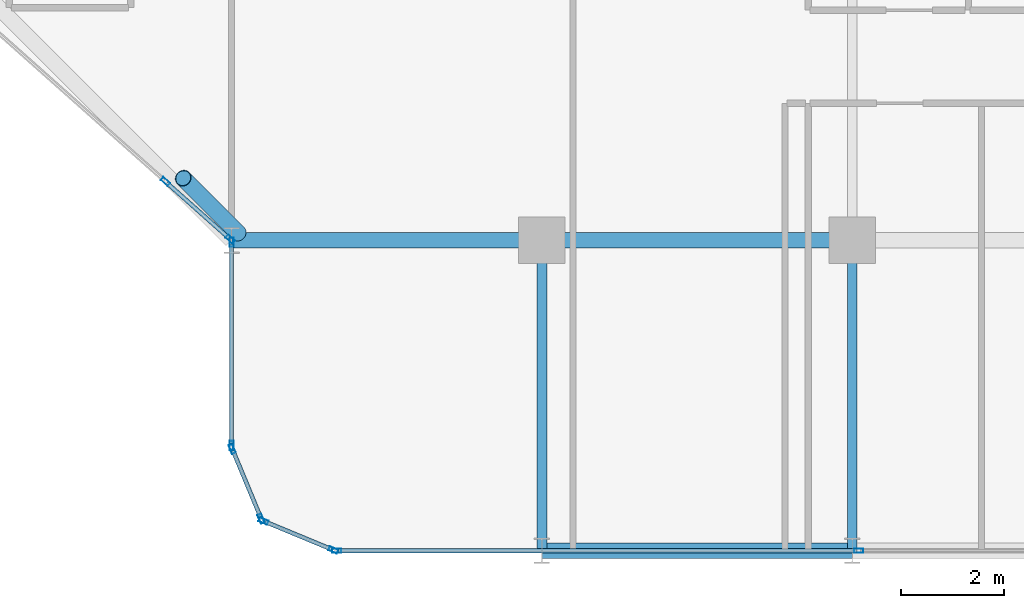
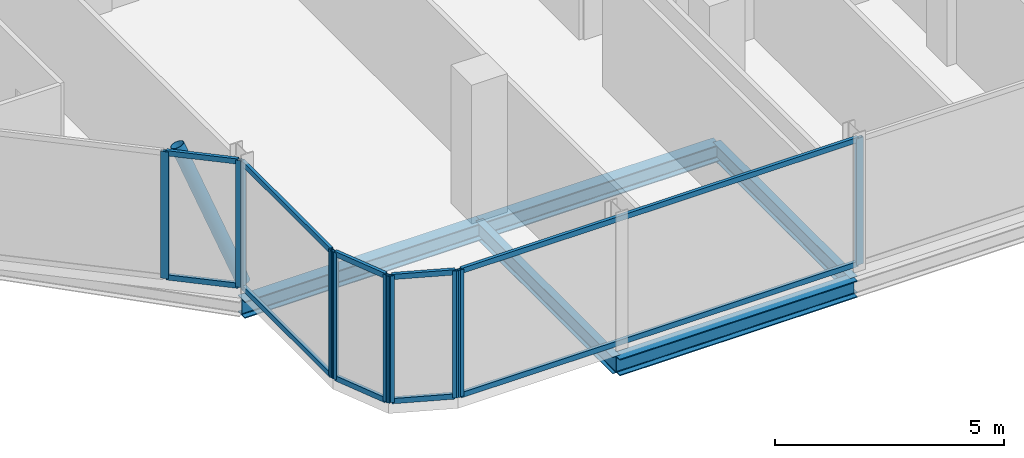
# One storey, part 5 of 31: 21 members, 5 beams, 5 elements without a shape of their own.
"""IFC4 building model written with IfcOpenShell, lengths in metres."""

from ifc_helpers import new_model, si_unit, direction, frame, origin, origin_2d, place, context, subcontext, project, spatial, hollow_rectangle, hollow_circle, i_section, extrude, material, layer, layer_set, material_profile, profile_set, type_object, element, aggregate, save


model = new_model("IFC4")

# Units and contexts
model_context = context("Model", 3, precision=1e-05, world=origin(), true_north=direction((0.0, 1.0)))
body_context = subcontext(model_context, "Body", "Model", "MODEL_VIEW")
ifc_project = project(units=[si_unit("LENGTHUNIT", "METRE"), si_unit("AREAUNIT", "SQUARE_METRE"), si_unit("VOLUMEUNIT", "CUBIC_METRE"), si_unit("PLANEANGLEUNIT", "RADIAN"), si_unit("MASSUNIT", "GRAM", prefix="KILO")], contexts=[model_context])

# Site, building, storey
site_placement = place(None, origin())
site = spatial("IfcSite", under=ifc_project, at=site_placement, CompositionType="ELEMENT")
building_placement = place(site_placement, origin())
building = spatial("IfcBuilding", under=site, at=building_placement, Name="Keshet Zoharim Tower", CompositionType="ELEMENT")
storey_placement = place(building_placement, frame((0.0, 0.0, 129.800048828125)))
storey = spatial("IfcBuildingStorey", under=building, at=storey_placement, Name="L31", CompositionType="ELEMENT", Elevation=129.800048828125)

# Beams
ifc_material_1 = material(Name="Steel S355", Category="steel")
ifc_material_profile_1 = material_profile(ifc_material_1, i_section(OverallWidth=0.18994140625, OverallDepth=0.449951171875, WebThickness=0.009521484375, FlangeThickness=0.0146484375, FilletRadius=0.02099609375, at=origin_2d()), Name="IPE450")
ifc_profile_set_1 = profile_set([ifc_material_profile_1], Name="Steel S355")
beam_type_1 = type_object("IfcBeamType", Name="BM-PRI-IP450", PredefinedType="BEAM", material=ifc_profile_set_1)
for number, where, z_axis, x_axis, name in (
    (1, (27.0, 0.699951171875, -0.5400390625), (0.0, 1.0, 0.0), (-1.0, 0.0, 0.0), "L31 Primary Girder Y-004"),
    (2, (33.0, 0.699951171875, -0.5400390625), (0.0, 1.0, 0.0), (-1.0, 0.0, 0.0), "L31 Primary Girder Y-005"),
):
    element("IfcBeam", number, at=place(storey_placement, frame(where, z_axis=z_axis, x_axis=x_axis)), inside=storey, type_object=beam_type_1, Name=name, PredefinedType="BEAM", context=body_context, shape_type="SweptSolid", body=[
        extrude(i_section(OverallWidth=0.18994140625, OverallDepth=0.449951171875, WebThickness=0.009521484375, FlangeThickness=0.0146484375, FilletRadius=0.02099609375, at=origin_2d()), origin(), (0.0, 0.0, 1.0), 6.0),
    ])
ifc_material_profile_2 = material_profile(ifc_material_1, i_section(OverallWidth=0.300048828125, OverallDepth=0.449951171875, WebThickness=0.013916015625, FlangeThickness=0.02587890625, FilletRadius=0.027099609375, at=origin_2d()), Name="HEB450")
ifc_profile_set_2 = profile_set([ifc_material_profile_2], Name="Steel S355")
beam_type_2 = type_object("IfcBeamType", Name="BM-WEB-HB450", PredefinedType="BEAM", material=ifc_profile_set_2)
for number, where, z_axis, x_axis, name in (
    (3, (27.0, 0.699951171875, -0.5400390625), (1.0, 0.0, 0.0), (0.0, 1.0, 0.0), "L31 Primary Girder X-001"),
    (4, (21.0, 6.699951171875, -0.5400390625), (1.0, 0.0, 0.0), (0.0, 1.0, 0.0), "L31 Primary Girder X-005"),
    (5, (27.0, 6.699951171875, -0.5400390625), (1.0, 0.0, 0.0), (0.0, 1.0, 0.0), "L31 Primary Girder X-006"),
):
    element("IfcBeam", number, at=place(storey_placement, frame(where, z_axis=z_axis, x_axis=x_axis)), inside=storey, type_object=beam_type_2, Name=name, PredefinedType="BEAM", context=body_context, shape_type="SweptSolid", body=[
        extrude(i_section(OverallWidth=0.300048828125, OverallDepth=0.449951171875, WebThickness=0.013916015625, FlangeThickness=0.02587890625, FilletRadius=0.027099609375, at=origin_2d()), origin(), (0.0, 0.0, 1.0), 6.0),
    ])

# Curtain wall, members
ifc_material_2 = material(Name="Aluminium 6063-T6", Category="aluminium")
ifc_layer = layer(ifc_material_2, 0.159912109375)
ifc_layer_set = layer_set([ifc_layer], Name="Aluminium 6063-T6")
curtain_wall_type = type_object("IfcCurtainWallType", Name="CW-SYS-03", PredefinedType="NOTDEFINED", material=ifc_layer_set)
curtain_wall_1_placement = place(storey_placement, origin())
curtain_wall_1 = element("IfcCurtainWall", 6, at=curtain_wall_1_placement, inside=storey, type_object=curtain_wall_type, Name="L31 Unitised Curtain Wall 03 Part 3", PredefinedType="NOTDEFINED")
ifc_material_profile_3 = material_profile(ifc_material_2, hollow_rectangle(XDim=0.080078125, YDim=0.179931640625, WallThickness=0.00439453125, at=origin_2d()), Name="MUL-80x180")
ifc_profile_set_3 = profile_set([ifc_material_profile_3], Name="Aluminium 6063-T6")
member_type_1 = type_object("IfcMemberType", Name="CWM-M18", PredefinedType="MULLION", material=ifc_profile_set_3)
member_1_placement = place(storey_placement, frame((33.1259765625, 0.699951171875, 0.0), z_axis=(0.0, 0.0, 1.0), x_axis=(0.0, -1.0, 0.0)))
member_1 = element("IfcMember", 7, at=member_1_placement, type_object=member_type_1, Name="CW-03 mullion 2", PredefinedType="MULLION", context=body_context, shape_type="SweptSolid", body=[
    extrude(hollow_rectangle(XDim=0.080078125, YDim=0.179931640625, WallThickness=0.00439453125, at=origin_2d()), origin(), (0.0, 0.0, 1.0), 3.385009765625),
])
member_2_placement = place(storey_placement, frame((23.034912109375, 0.699951171875, 0.0), z_axis=(0.0, 0.0, 1.0), x_axis=(0.0, -1.0, 0.0)))
member_2 = element("IfcMember", 8, at=member_2_placement, type_object=member_type_1, Name="CW-03 mullion 3", PredefinedType="MULLION", context=body_context, shape_type="SweptSolid", body=[
    extrude(hollow_rectangle(XDim=0.080078125, YDim=0.179931640625, WallThickness=0.00439453125, at=origin_2d()), origin(), (0.0, 0.0, 1.0), 3.385009765625),
])

curtain_wall_2_placement = place(storey_placement, origin())
curtain_wall_2 = element("IfcCurtainWall", 9, at=curtain_wall_2_placement, inside=storey, type_object=curtain_wall_type, Name="L31 Unitised Curtain Wall 04", PredefinedType="NOTDEFINED")
member_3_placement = place(storey_placement, frame((22.9677734375, 0.71337890625, 0.0), z_axis=(0.0, 0.0, 1.0), x_axis=(-0.382851849847, -0.92380975372, 0.0)))
member_3 = element("IfcMember", 10, at=member_3_placement, type_object=member_type_1, Name="CW-03 mullion 1", PredefinedType="MULLION", context=body_context, shape_type="SweptSolid", body=[
    extrude(hollow_rectangle(XDim=0.080078125, YDim=0.179931640625, WallThickness=0.00439453125, at=origin_2d()), origin(), (0.0, 0.0, 1.0), 3.385009765625),
])
member_4_placement = place(storey_placement, frame((21.618408203125, 1.272705078125, 0.0), z_axis=(0.0, 0.0, 1.0), x_axis=(-0.382851849847, -0.92380975372, 0.0)))
member_4 = element("IfcMember", 11, at=member_4_placement, type_object=member_type_1, Name="CW-03 mullion 2", PredefinedType="MULLION", context=body_context, shape_type="SweptSolid", body=[
    extrude(hollow_rectangle(XDim=0.080078125, YDim=0.179931640625, WallThickness=0.00439453125, at=origin_2d()), origin(), (0.0, 0.0, 1.0), 3.385009765625),
])

curtain_wall_3_placement = place(storey_placement, origin())
curtain_wall_3 = element("IfcCurtainWall", 12, at=curtain_wall_3_placement, inside=storey, type_object=curtain_wall_type, Name="L31 Unitised Curtain Wall 05", PredefinedType="NOTDEFINED")
member_5_placement = place(storey_placement, frame((21.572509765625, 1.318359375, 0.0), z_axis=(0.0, 0.0, 1.0), x_axis=(-0.92380975372, -0.382851849847, 0.0)))
member_5 = element("IfcMember", 13, at=member_5_placement, type_object=member_type_1, Name="CW-03 mullion 1", PredefinedType="MULLION", context=body_context, shape_type="SweptSolid", body=[
    extrude(hollow_rectangle(XDim=0.080078125, YDim=0.179931640625, WallThickness=0.00439453125, at=origin_2d()), origin(), (0.0, 0.0, 1.0), 3.385009765625),
])
member_6_placement = place(storey_placement, frame((21.013427734375, 2.667724609375, 0.0), z_axis=(0.0, 0.0, 1.0), x_axis=(-0.92380975372, -0.382851849847, 0.0)))
member_6 = element("IfcMember", 14, at=member_6_placement, type_object=member_type_1, Name="CW-03 mullion 2", PredefinedType="MULLION", context=body_context, shape_type="SweptSolid", body=[
    extrude(hollow_rectangle(XDim=0.080078125, YDim=0.179931640625, WallThickness=0.00439453125, at=origin_2d()), origin(), (0.0, 0.0, 1.0), 3.385009765625),
])

curtain_wall_4_placement = place(storey_placement, origin())
curtain_wall_4 = element("IfcCurtainWall", 15, at=curtain_wall_4_placement, inside=storey, type_object=curtain_wall_type, Name="L31 Unitised Curtain Wall 06", PredefinedType="NOTDEFINED")
member_7_placement = place(storey_placement, frame((21.0, 2.735107421875, 0.0), z_axis=(0.0, 0.0, 1.0), x_axis=(-1.0, 0.0, 0.0)))
member_7 = element("IfcMember", 16, at=member_7_placement, type_object=member_type_1, Name="CW-03 mullion 1", PredefinedType="MULLION", context=body_context, shape_type="SweptSolid", body=[
    extrude(hollow_rectangle(XDim=0.080078125, YDim=0.179931640625, WallThickness=0.00439453125, at=origin_2d()), origin(), (0.0, 0.0, 1.0), 3.385009765625),
])
member_8_placement = place(storey_placement, frame((21.0, 6.6650390625, 0.0), z_axis=(0.0, 0.0, 1.0), x_axis=(-1.0, 0.0, 0.0)))
member_8 = element("IfcMember", 17, at=member_8_placement, type_object=member_type_1, Name="CW-03 mullion 2", PredefinedType="MULLION", context=body_context, shape_type="SweptSolid", body=[
    extrude(hollow_rectangle(XDim=0.080078125, YDim=0.179931640625, WallThickness=0.00439453125, at=origin_2d()), origin(), (0.0, 0.0, 1.0), 3.385009765625),
])

curtain_wall_5_placement = place(storey_placement, origin())
curtain_wall_5 = element("IfcCurtainWall", 18, at=curtain_wall_5_placement, inside=storey, type_object=curtain_wall_type, Name="L31 Unitised Curtain Wall 07", PredefinedType="NOTDEFINED")
member_9_placement = place(storey_placement, frame((20.973876953125, 6.72314453125, 0.0), z_axis=(0.0, 0.0, 1.0), x_axis=(-0.664367393393, -0.747406159057, 0.0)))
member_9 = element("IfcMember", 19, at=member_9_placement, type_object=member_type_1, Name="CW-03 mullion 1", PredefinedType="MULLION", context=body_context, shape_type="SweptSolid", body=[
    extrude(hollow_rectangle(XDim=0.080078125, YDim=0.179931640625, WallThickness=0.00439453125, at=origin_2d()), origin(), (0.0, 0.0, 1.0), 3.385009765625),
])
member_10_placement = place(storey_placement, frame((19.720947265625, 7.8369140625, 0.0), z_axis=(0.0, 0.0, 1.0), x_axis=(-0.664367393393, -0.747406159057, 0.0)))
member_10 = element("IfcMember", 20, at=member_10_placement, type_object=member_type_1, Name="CW-03 mullion 2", PredefinedType="MULLION", context=body_context, shape_type="SweptSolid", body=[
    extrude(hollow_rectangle(XDim=0.080078125, YDim=0.179931640625, WallThickness=0.00439453125, at=origin_2d()), origin(), (0.0, 0.0, 1.0), 3.385009765625),
])

# Member
ifc_material_profile_4 = material_profile(ifc_material_2, hollow_rectangle(XDim=0.080078125, YDim=0.139892578125, WallThickness=0.00390625, at=origin_2d()), Name="TRN-80x140")
ifc_profile_set_4 = profile_set([ifc_material_profile_4], Name="Aluminium 6063-T6")
member_type_2 = type_object("IfcMemberType", Name="CWT-T14", PredefinedType="USERDEFINED", material=ifc_profile_set_4)
member_11_placement = place(storey_placement, frame((33.091064453125, 0.699951171875, 0.034912109375), z_axis=(-1.0, 0.0, 0.0), x_axis=(0.0, -1.0, 0.0)))
member_11 = element("IfcMember", 21, at=member_11_placement, type_object=member_type_2, Name="CW-03 transom 2.1", ObjectType="TRANSOM", PredefinedType="USERDEFINED", context=body_context, shape_type="SweptSolid", body=[
    extrude(hollow_rectangle(XDim=0.080078125, YDim=0.139892578125, WallThickness=0.00390625, at=origin_2d()), origin(), (0.0, 0.0, 1.0), 10.02099609375),
])

member_12_placement = place(storey_placement, frame((33.091064453125, 0.699951171875, 3.349853515625), z_axis=(-1.0, 0.0, 0.0), x_axis=(0.0, -1.0, 0.0)))
member_12 = element("IfcMember", 22, at=member_12_placement, type_object=member_type_2, Name="CW-03 transom 2.2", ObjectType="TRANSOM", PredefinedType="USERDEFINED", context=body_context, shape_type="SweptSolid", body=[
    extrude(hollow_rectangle(XDim=0.080078125, YDim=0.139892578125, WallThickness=0.00390625, at=origin_2d()), origin(), (0.0, 0.0, 1.0), 10.02099609375),
])

aggregate(curtain_wall_1, [member_1, member_2, member_11, member_12])

member_13_placement = place(storey_placement, frame((22.935302734375, 0.726806640625, 0.034912109375), z_axis=(-0.92379209995, 0.382894445076, 0.0), x_axis=(-0.382894445076, -0.92379209995, 0.0)))
member_13 = element("IfcMember", 23, at=member_13_placement, type_object=member_type_2, Name="CW-03 transom 1.1", ObjectType="TRANSOM", PredefinedType="USERDEFINED", context=body_context, shape_type="SweptSolid", body=[
    extrude(hollow_rectangle(XDim=0.080078125, YDim=0.139892578125, WallThickness=0.00390625, at=origin_2d()), origin(), (0.0, 0.0, 1.0), 1.390625),
])

member_14_placement = place(storey_placement, frame((22.935302734375, 0.726806640625, 3.349853515625), z_axis=(-0.92379209995, 0.382894445076, 0.0), x_axis=(-0.382894445076, -0.92379209995, 0.0)))
member_14 = element("IfcMember", 24, at=member_14_placement, type_object=member_type_2, Name="CW-03 transom 1.2", ObjectType="TRANSOM", PredefinedType="USERDEFINED", context=body_context, shape_type="SweptSolid", body=[
    extrude(hollow_rectangle(XDim=0.080078125, YDim=0.139892578125, WallThickness=0.00390625, at=origin_2d()), origin(), (0.0, 0.0, 1.0), 1.390625),
])

aggregate(curtain_wall_2, [member_3, member_4, member_13, member_14])

member_15_placement = place(storey_placement, frame((21.55908203125, 1.3505859375, 0.034912109375), z_axis=(-0.382744609247, 0.923854189844, 0.0), x_axis=(-0.923854189844, -0.382744609247, 0.0)))
member_15 = element("IfcMember", 25, at=member_15_placement, type_object=member_type_2, Name="CW-03 transom 1.1", ObjectType="TRANSOM", PredefinedType="USERDEFINED", context=body_context, shape_type="SweptSolid", body=[
    extrude(hollow_rectangle(XDim=0.080078125, YDim=0.139892578125, WallThickness=0.00390625, at=origin_2d()), origin(), (0.0, 0.0, 1.0), 1.390625),
])

member_16_placement = place(storey_placement, frame((21.55908203125, 1.3505859375, 3.349853515625), z_axis=(-0.382744609247, 0.923854189844, 0.0), x_axis=(-0.923854189844, -0.382744609247, 0.0)))
member_16 = element("IfcMember", 26, at=member_16_placement, type_object=member_type_2, Name="CW-03 transom 1.2", ObjectType="TRANSOM", PredefinedType="USERDEFINED", context=body_context, shape_type="SweptSolid", body=[
    extrude(hollow_rectangle(XDim=0.080078125, YDim=0.139892578125, WallThickness=0.00390625, at=origin_2d()), origin(), (0.0, 0.0, 1.0), 1.390625),
])

aggregate(curtain_wall_3, [member_5, member_6, member_15, member_16])

member_17_placement = place(storey_placement, frame((21.0, 2.77001953125, 0.034912109375), z_axis=(0.0, 1.0, 0.0), x_axis=(-1.0, 0.0, 0.0)))
member_17 = element("IfcMember", 27, at=member_17_placement, type_object=member_type_2, Name="CW-03 transom 1.1", ObjectType="TRANSOM", PredefinedType="USERDEFINED", context=body_context, shape_type="SweptSolid", body=[
    extrude(hollow_rectangle(XDim=0.080078125, YDim=0.139892578125, WallThickness=0.00390625, at=origin_2d()), origin(), (0.0, 0.0, 1.0), 3.85986328125),
])

member_18_placement = place(storey_placement, frame((21.0, 2.77001953125, 3.349853515625), z_axis=(0.0, 1.0, 0.0), x_axis=(-1.0, 0.0, 0.0)))
member_18 = element("IfcMember", 28, at=member_18_placement, type_object=member_type_2, Name="CW-03 transom 1.2", ObjectType="TRANSOM", PredefinedType="USERDEFINED", context=body_context, shape_type="SweptSolid", body=[
    extrude(hollow_rectangle(XDim=0.080078125, YDim=0.139892578125, WallThickness=0.00390625, at=origin_2d()), origin(), (0.0, 0.0, 1.0), 3.85986328125),
])

aggregate(curtain_wall_4, [member_7, member_8, member_17, member_18])

member_19_placement = place(storey_placement, frame((20.94775390625, 6.74658203125, 0.034912109375), z_axis=(-0.747459638873, 0.664307224299, 0.0), x_axis=(-0.664307224299, -0.747459638873, 0.0)))
member_19 = element("IfcMember", 29, at=member_19_placement, type_object=member_type_2, Name="CW-03 transom 1.1", ObjectType="TRANSOM", PredefinedType="USERDEFINED", context=body_context, shape_type="SweptSolid", body=[
    extrude(hollow_rectangle(XDim=0.080078125, YDim=0.139892578125, WallThickness=0.00390625, at=origin_2d()), origin(), (0.0, 0.0, 1.0), 1.60595703125),
])

member_20_placement = place(storey_placement, frame((20.94775390625, 6.74658203125, 3.349853515625), z_axis=(-0.747459638873, 0.664307224299, 0.0), x_axis=(-0.664307224299, -0.747459638873, 0.0)))
member_20 = element("IfcMember", 30, at=member_20_placement, type_object=member_type_2, Name="CW-03 transom 1.2", ObjectType="TRANSOM", PredefinedType="USERDEFINED", context=body_context, shape_type="SweptSolid", body=[
    extrude(hollow_rectangle(XDim=0.080078125, YDim=0.139892578125, WallThickness=0.00390625, at=origin_2d()), origin(), (0.0, 0.0, 1.0), 1.60595703125),
])

aggregate(curtain_wall_5, [member_9, member_10, member_19, member_20])

ifc_material_profile_5 = material_profile(ifc_material_1, hollow_circle(Radius=0.161865234375, WallThickness=0.012451171875, at=origin_2d()), Name="CHS323x12.5")
ifc_profile_set_5 = profile_set([ifc_material_profile_5], Name="Steel S355")
member_type_3 = type_object("IfcMemberType", Name="MB-BR-C323", PredefinedType="BRACE", material=ifc_profile_set_5)
member_21_placement = place(storey_placement, frame((21.1259765625, 6.842041015625, 0.0), z_axis=(-0.286558246199, 0.286558246199, 0.914203884848), x_axis=(-0.707106781187, -0.707106781187, 0.0)))
element("IfcMember", 31, at=member_21_placement, inside=storey, type_object=member_type_3, Name="L31 Perimeter Tube Brace 01", PredefinedType="BRACE", context=body_context, shape_type="SweptSolid", body=[
    extrude(hollow_circle(Radius=0.161865234375, WallThickness=0.012451171875, at=origin_2d()), origin(), (0.0, 0.0, 1.0), 3.70263671875),
])

save(model, "model.ifc")
